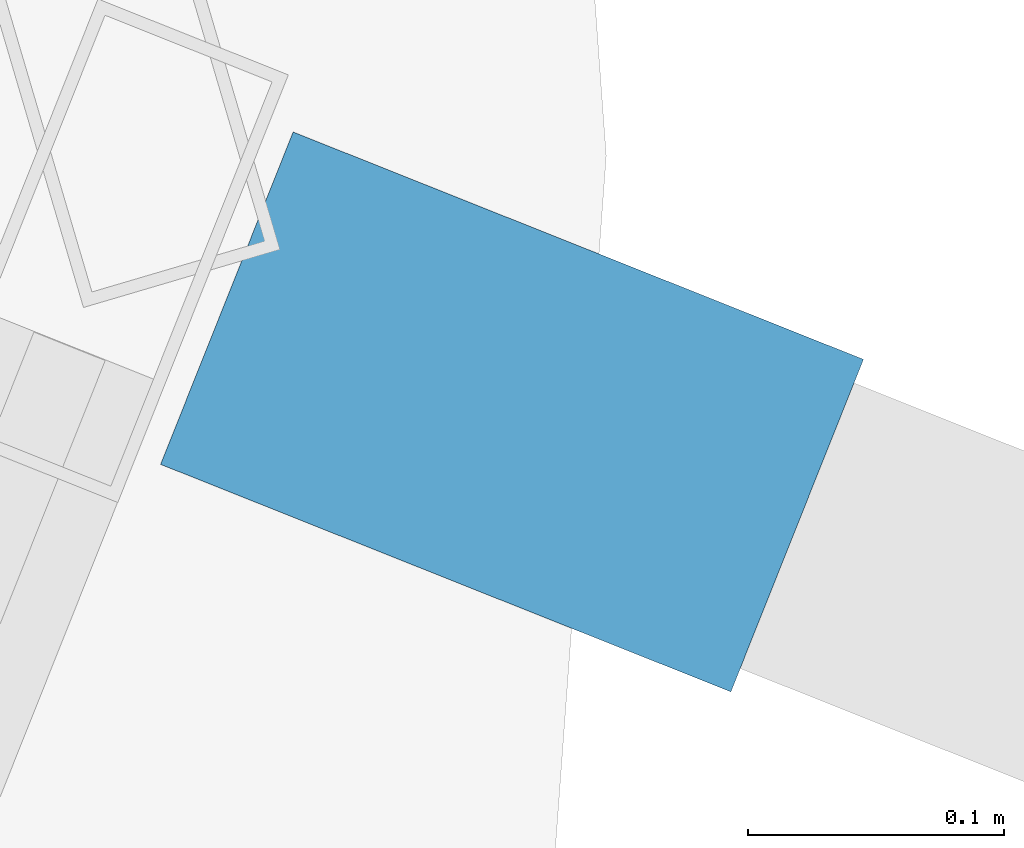
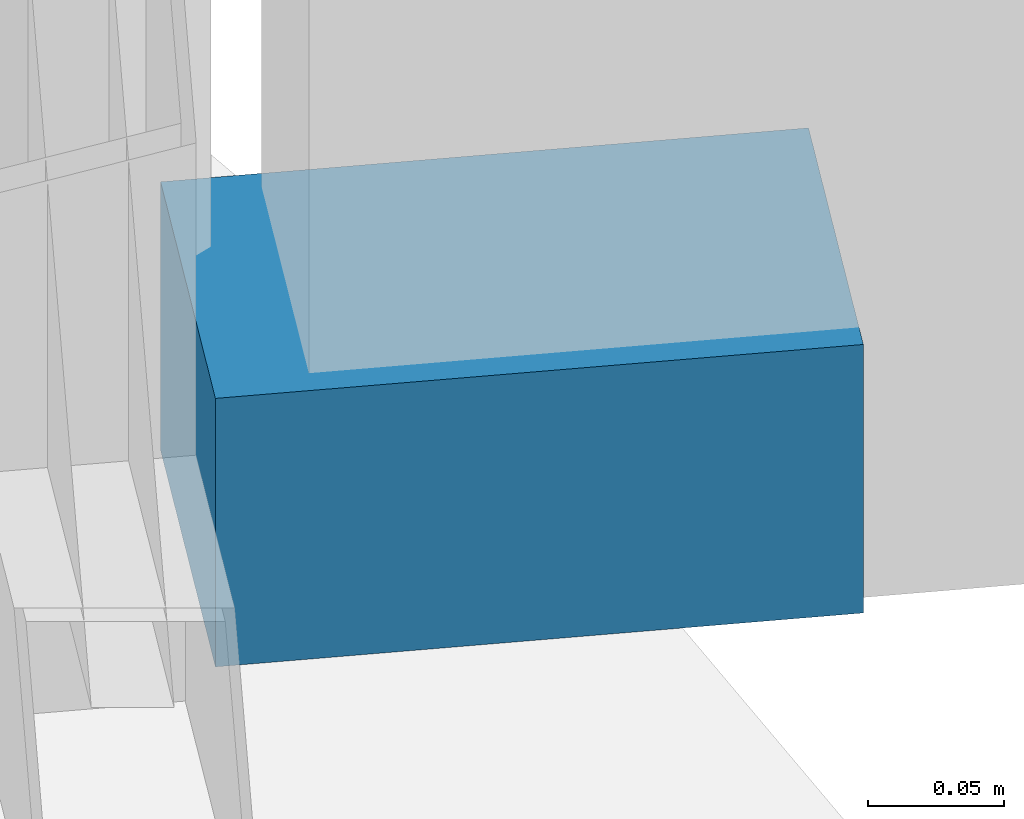
# One storey, part 29 of 33: 1 discrete accessory.
"""IFC4 building model written with IfcOpenShell, lengths in metres."""

from ifc_helpers import new_model, si_unit, direction, frame, origin, origin_2d, place, context, subcontext, project, spatial, rectangle, extrude, material, type_object, element, save


model = new_model("IFC4")

# Units and contexts
model_context = context("Model", 3, precision=1e-05, world=origin(), true_north=direction((0.0, 1.0)))
body_context = subcontext(model_context, "Body", "Model", "MODEL_VIEW")
ifc_project = project(units=[si_unit("LENGTHUNIT", "METRE"), si_unit("AREAUNIT", "SQUARE_METRE"), si_unit("VOLUMEUNIT", "CUBIC_METRE"), si_unit("PLANEANGLEUNIT", "RADIAN"), si_unit("MASSUNIT", "GRAM", prefix="KILO")], contexts=[model_context])

# Site, building, storey
site_placement = place(None, origin())
site = spatial("IfcSite", under=ifc_project, at=site_placement, CompositionType="ELEMENT")
building_placement = place(site_placement, origin())
building = spatial("IfcBuilding", under=site, at=building_placement, Name="Kazevale Care Tower and Concert Hall", CompositionType="ELEMENT")
storey_placement = place(building_placement, frame((0.0, 0.0, 49.199951171875)))
storey = spatial("IfcBuildingStorey", under=building, at=storey_placement, Name="L12", CompositionType="ELEMENT", Elevation=49.199951171875)

# Discrete accessory
ifc_material = material(Name="Stainless Steel 316", Category="steel")
discrete_accessory_type = type_object("IfcDiscreteAccessoryType", Name="Facade Fin Stainless Anchor Bracket BRK-1", PredefinedType="BRACKET", material=ifc_material)
discrete_accessory_placement = place(storey_placement, frame((80.76318359375, 37.89990234375, 0.0), z_axis=(0.0, 0.0, 1.0), x_axis=(0.928874213199, -0.370395324019, 0.0)))
element("IfcDiscreteAccessory", 1, at=discrete_accessory_placement, inside=storey, type_object=discrete_accessory_type, Name="cw:L12:f01:brk", PredefinedType="BRACKET", context=body_context, shape_type="SweptSolid", body=[
    extrude(rectangle(XDim=0.239990234375, YDim=0.139892578125, at=origin_2d()), origin(), (0.0, 0.0, 1.0), 0.1201171875),
])

save(model, "model.ifc")
